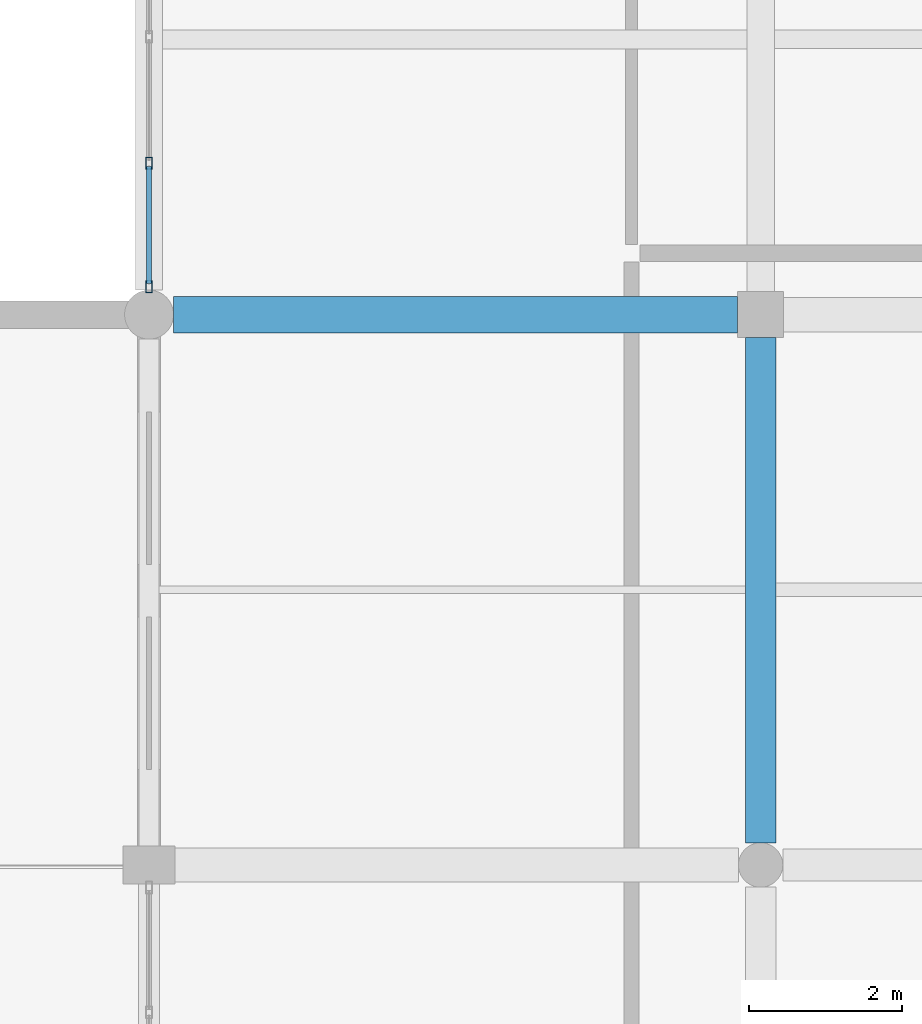
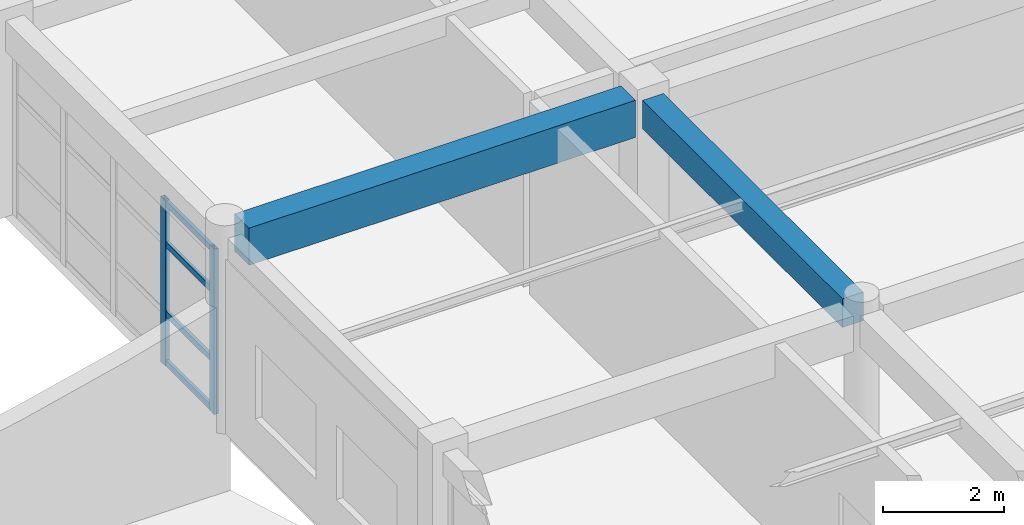
# One storey, part 52 of 121: 6 members, 2 beams, 1 element without a shape of its own.
"""IFC4 building model written with IfcOpenShell, lengths in metres."""

from ifc_helpers import new_model, si_unit, direction, frame, origin, origin_2d, place, context, subcontext, project, spatial, rectangle, hollow_rectangle, extrude, material, material_profile, profile_set, type_object, element, aggregate, save


model = new_model("IFC4")

# Units and contexts
model_context = context("Model", 3, precision=1e-05, world=origin(), true_north=direction((0.0, 1.0)))
body_context = subcontext(model_context, "Body", "Model", "MODEL_VIEW")
ifc_project = project(units=[si_unit("LENGTHUNIT", "METRE"), si_unit("AREAUNIT", "SQUARE_METRE"), si_unit("VOLUMEUNIT", "CUBIC_METRE"), si_unit("PLANEANGLEUNIT", "RADIAN"), si_unit("MASSUNIT", "GRAM", prefix="KILO")], contexts=[model_context])

# Site, building, storey
site_placement = place(None, origin())
site = spatial("IfcSite", under=ifc_project, at=site_placement, CompositionType="ELEMENT")
building_placement = place(site_placement, origin())
building = spatial("IfcBuilding", under=site, at=building_placement, Name="Kharva Crest Polytechnic", CompositionType="ELEMENT")
storey_placement = place(building_placement, frame((0.0, 0.0, 13.199951171875)))
storey = spatial("IfcBuildingStorey", under=building, at=storey_placement, Name="L03", CompositionType="ELEMENT", Elevation=13.199951171875)

# Beams
ifc_material_1 = material(Name="Concrete C35/45", Category="concrete")
ifc_material_profile_1 = material_profile(ifc_material_1, rectangle(XDim=0.39990234375, YDim=0.580078125, at=origin_2d()), Name="RECT 400 X 580")
ifc_profile_set_1 = profile_set([ifc_material_profile_1], Name="Concrete C35/45")
beam_type_1 = type_object("IfcBeamType", Name="BM-RC-400X580", PredefinedType="BEAM", material=ifc_profile_set_1)
beam_1_placement = place(storey_placement, frame((40.0, 86.2900390625, 3.670166015625), z_axis=(0.0, 1.0, 0.0), x_axis=(-1.0, 0.0, 0.0)))
element("IfcBeam", 1, at=beam_1_placement, inside=storey, type_object=beam_type_1, Name="L03 Girder 6/M-N", PredefinedType="BEAM", context=body_context, shape_type="SweptSolid", body=[
    extrude(rectangle(XDim=0.39990234375, YDim=0.580078125, at=origin_2d()), origin(), (0.0, 0.0, 1.0), 6.60986328125),
])
ifc_material_profile_2 = material_profile(ifc_material_1, rectangle(XDim=0.47998046875, YDim=0.75, at=origin_2d()), Name="RECT 480 X 750")
ifc_profile_set_2 = profile_set([ifc_material_profile_2], Name="Concrete C35/45")
beam_type_2 = type_object("IfcBeamType", Name="BM-RC-480X750", PredefinedType="BEAM", material=ifc_profile_set_2)
beam_2_placement = place(storey_placement, frame((32.320068359375, 93.199951171875, 3.5849609375), z_axis=(1.0, 0.0, 0.0), x_axis=(0.0, 1.0, 0.0)))
element("IfcBeam", 2, at=beam_2_placement, inside=storey, type_object=beam_type_2, Name="L03 Beam N/5-6", PredefinedType="BEAM", context=body_context, shape_type="SweptSolid", body=[
    extrude(rectangle(XDim=0.47998046875, YDim=0.75, at=origin_2d()), origin(), (0.0, 0.0, 1.0), 7.3798828125),
])

# Curtain wall, members
ifc_material_2 = material(Name="Tempered insulated glass", Category="glass")
curtain_wall_type = type_object("IfcCurtainWallType", Name="CW-SYS-COURT", PredefinedType="USERDEFINED", material=ifc_material_2)
curtain_wall_placement = place(storey_placement, origin())
curtain_wall = element("IfcCurtainWall", 3, at=curtain_wall_placement, inside=storey, type_object=curtain_wall_type, Name="L03 Glazed Curtain Wall CW-165", ObjectType="CURTAIN WALL", PredefinedType="USERDEFINED")
ifc_material_3 = material(Name="Steel S355", Category="steel")
ifc_material_profile_3 = material_profile(ifc_material_3, hollow_rectangle(XDim=0.080078125, YDim=0.159912109375, WallThickness=0.0048828125, at=origin_2d()), Name="RHS 160X80X5.0")
ifc_profile_set_3 = profile_set([ifc_material_profile_3], Name="Steel S355")
member_type_1 = type_object("IfcMemberType", Name="CWM-RHS160X80", PredefinedType="MULLION", material=ifc_profile_set_3)
member_1_placement = place(storey_placement, frame((32.0, 95.179931640625, 0.0), z_axis=(0.0, 0.0, 1.0), x_axis=(1.0, 0.0, 0.0)))
member_1 = element("IfcMember", 4, at=member_1_placement, type_object=member_type_1, Name="CW-165 mullion 4", PredefinedType="MULLION", context=body_context, shape_type="SweptSolid", body=[
    extrude(hollow_rectangle(XDim=0.080078125, YDim=0.159912109375, WallThickness=0.0048828125, at=origin_2d()), origin(), (0.0, 0.0, 1.0), 3.340087890625),
])
member_2_placement = place(storey_placement, frame((32.0, 93.56494140625, 0.0), z_axis=(0.0, 0.0, 1.0), x_axis=(1.0, 0.0, 0.0)))
member_2 = element("IfcMember", 5, at=member_2_placement, type_object=member_type_1, Name="CW-165 mullion 5", PredefinedType="MULLION", context=body_context, shape_type="SweptSolid", body=[
    extrude(hollow_rectangle(XDim=0.080078125, YDim=0.159912109375, WallThickness=0.0048828125, at=origin_2d()), origin(), (0.0, 0.0, 1.0), 3.340087890625),
])
ifc_material_profile_4 = material_profile(ifc_material_3, hollow_rectangle(XDim=0.06005859375, YDim=0.1201171875, WallThickness=0.00390625, at=origin_2d()), Name="RHS 120X60X4.0")
ifc_profile_set_4 = profile_set([ifc_material_profile_4], Name="Steel S355")
member_type_2 = type_object("IfcMemberType", Name="CWT-RHS120X60", PredefinedType="USERDEFINED", material=ifc_profile_set_4)
member_3_placement = place(storey_placement, frame((32.0, 95.139892578125, 0.06005859375), z_axis=(0.0, -1.0, 0.0), x_axis=(1.0, 0.0, 0.0)))
member_3 = element("IfcMember", 6, at=member_3_placement, type_object=member_type_2, Name="CW-165 transom 4.1", ObjectType="TRANSOM", PredefinedType="USERDEFINED", context=body_context, shape_type="SweptSolid", body=[
    extrude(hollow_rectangle(XDim=0.06005859375, YDim=0.1201171875, WallThickness=0.00390625, at=origin_2d()), origin(), (0.0, 0.0, 1.0), 1.534912109375),
])
member_4_placement = place(storey_placement, frame((32.0, 95.139892578125, 1.050048828125), z_axis=(0.0, -1.0, 0.0), x_axis=(1.0, 0.0, 0.0)))
member_4 = element("IfcMember", 7, at=member_4_placement, type_object=member_type_2, Name="CW-165 transom 4.2", ObjectType="TRANSOM", PredefinedType="USERDEFINED", context=body_context, shape_type="SweptSolid", body=[
    extrude(hollow_rectangle(XDim=0.06005859375, YDim=0.1201171875, WallThickness=0.00390625, at=origin_2d()), origin(), (0.0, 0.0, 1.0), 1.534912109375),
])
member_5_placement = place(storey_placement, frame((32.0, 95.139892578125, 2.449951171875), z_axis=(0.0, -1.0, 0.0), x_axis=(1.0, 0.0, 0.0)))
member_5 = element("IfcMember", 8, at=member_5_placement, type_object=member_type_2, Name="CW-165 transom 4.3", ObjectType="TRANSOM", PredefinedType="USERDEFINED", context=body_context, shape_type="SweptSolid", body=[
    extrude(hollow_rectangle(XDim=0.06005859375, YDim=0.1201171875, WallThickness=0.00390625, at=origin_2d()), origin(), (0.0, 0.0, 1.0), 1.534912109375),
])
member_6_placement = place(storey_placement, frame((32.0, 95.139892578125, 3.280029296875), z_axis=(0.0, -1.0, 0.0), x_axis=(1.0, 0.0, 0.0)))
member_6 = element("IfcMember", 9, at=member_6_placement, type_object=member_type_2, Name="CW-165 transom 4.4", ObjectType="TRANSOM", PredefinedType="USERDEFINED", context=body_context, shape_type="SweptSolid", body=[
    extrude(hollow_rectangle(XDim=0.06005859375, YDim=0.1201171875, WallThickness=0.00390625, at=origin_2d()), origin(), (0.0, 0.0, 1.0), 1.534912109375),
])
aggregate(curtain_wall, [member_1, member_2, member_3, member_4, member_5, member_6])

save(model, "model.ifc")
